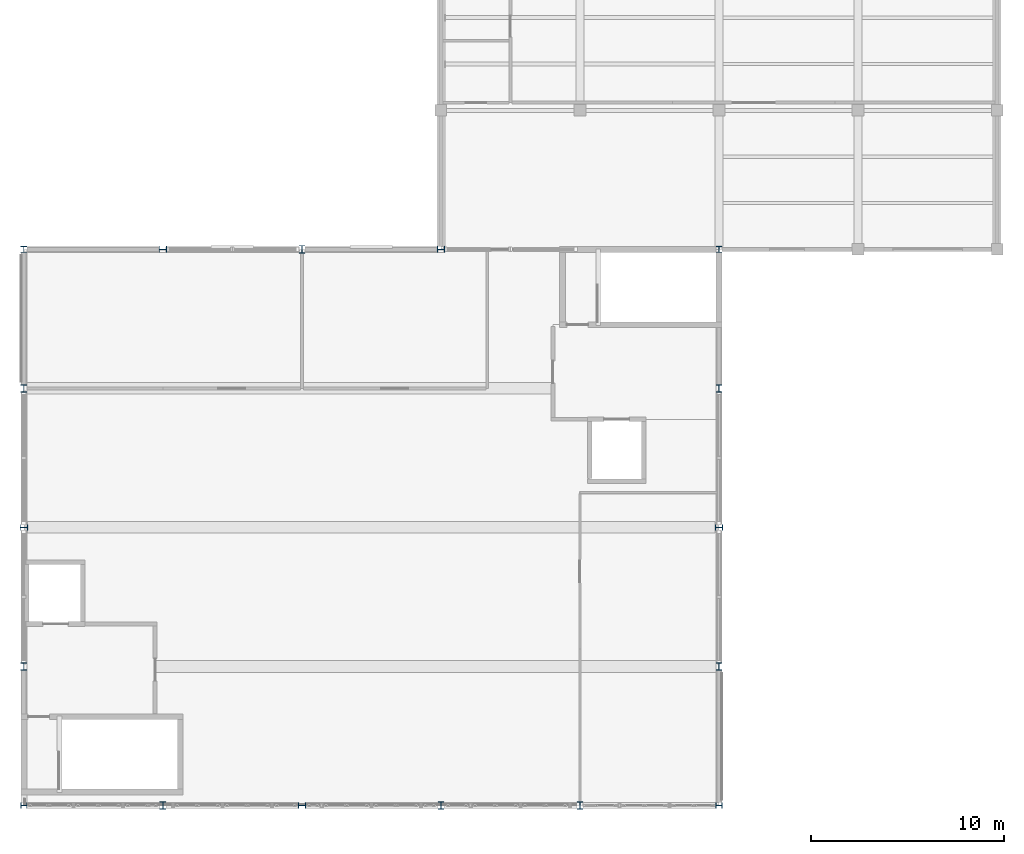
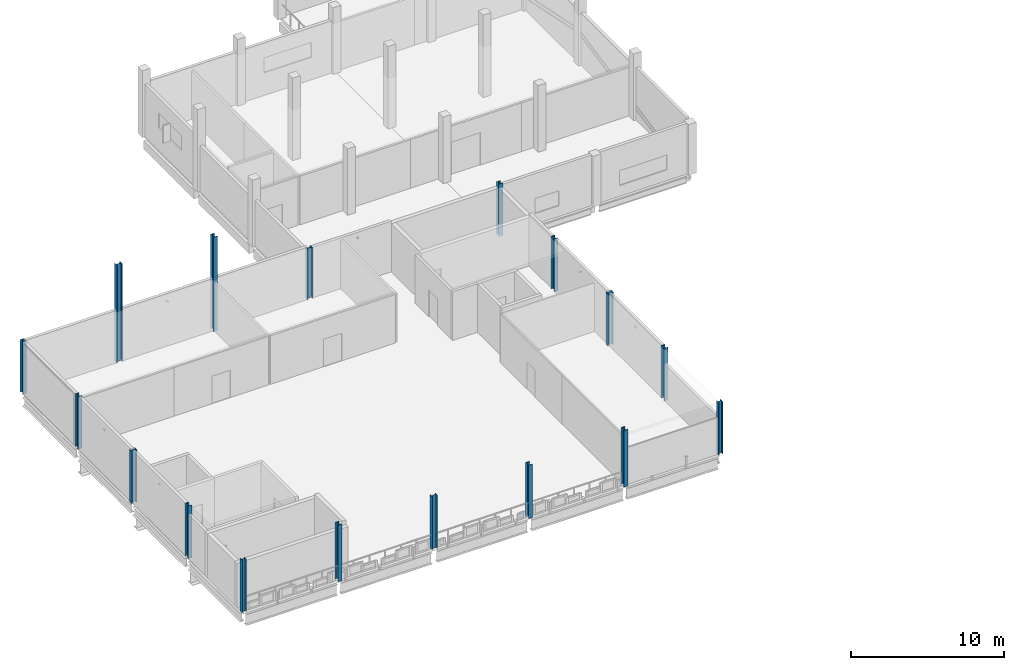
# One storey, part 1 of 20: 17 columns.
"""IFC4 building model written with IfcOpenShell, lengths in metres."""

from ifc_helpers import new_model, si_unit, direction, frame, origin, origin_2d, place, context, subcontext, project, spatial, i_section, extrude, material, material_profile, profile_set, type_object, element, save


model = new_model("IFC4")

# Units and contexts
model_context = context("Model", 3, precision=1e-05, world=origin(), true_north=direction((0.0, 1.0)))
body_context = subcontext(model_context, "Body", "Model", "MODEL_VIEW")
ifc_project = project(units=[si_unit("LENGTHUNIT", "METRE"), si_unit("AREAUNIT", "SQUARE_METRE"), si_unit("VOLUMEUNIT", "CUBIC_METRE"), si_unit("PLANEANGLEUNIT", "RADIAN"), si_unit("MASSUNIT", "GRAM", prefix="KILO"), si_unit("THERMODYNAMICTEMPERATUREUNIT", "KELVIN"), si_unit("POWERUNIT", "WATT")], contexts=[model_context])

# Site, building, storey
site_placement = place(None, origin())
site = spatial("IfcSite", under=ifc_project, at=site_placement, CompositionType="ELEMENT")
building_placement = place(site_placement, origin())
building = spatial("IfcBuilding", under=site, at=building_placement, Name="Kaldorven Railside Theatre", CompositionType="ELEMENT")
storey_placement = place(building_placement, frame((0.0, 0.0, 23.10009765625)))
storey = spatial("IfcBuildingStorey", under=building, at=storey_placement, Name="L05", CompositionType="ELEMENT", Elevation=23.10009765625)

# Columns
ifc_material = material(Name="Steel S355", Category="steel")
ifc_material_profile_1 = material_profile(ifc_material, i_section(OverallWidth=0.300048828125, OverallDepth=0.39990234375, WebThickness=0.013427734375, FlangeThickness=0.02392578125, at=origin_2d()), Name="HEB 400")
ifc_profile_set_1 = profile_set([ifc_material_profile_1], Name="Steel S355")
column_type_1 = type_object("IfcColumnType", Name="COL-HEB400", PredefinedType="COLUMN", material=ifc_profile_set_1)
column_1_placement = place(storey_placement, frame((94.39990234375, 84.0, 0.0), z_axis=(0.0, 0.0, 1.0), x_axis=(1.0, 0.0, 0.0)))
element("IfcColumn", 1, at=column_1_placement, inside=storey, type_object=column_type_1, Name="L05 Column CG-L05-094-084", PredefinedType="COLUMN", context=body_context, shape_type="SweptSolid", body=[
    extrude(i_section(OverallWidth=0.300048828125, OverallDepth=0.39990234375, WebThickness=0.013427734375, FlangeThickness=0.02392578125, at=origin_2d()), origin(), (0.0, 0.0, 1.0), 4.52392578125),
])
for number, where, z_axis, x_axis, name in (
    (2, (101.60009765625, 84.0, 0.0), (0.0, 0.0, 1.0), (0.0, 1.0, 0.0), "L05 Column CG-L05-101-084"),
    (3, (108.800048828125, 84.0, 0.0), (0.0, 0.0, 1.0), (1.0, 0.0, 0.0), "L05 Column CG-L05-108-084"),
):
    element("IfcColumn", number, at=place(storey_placement, frame(where, z_axis=z_axis, x_axis=x_axis)), inside=storey, type_object=column_type_1, Name=name, PredefinedType="COLUMN", context=body_context, shape_type="SweptSolid", body=[
        extrude(i_section(OverallWidth=0.300048828125, OverallDepth=0.39990234375, WebThickness=0.013427734375, FlangeThickness=0.02392578125, at=origin_2d()), origin(), (0.0, 0.0, 1.0), 4.258056640625),
    ])
column_2_placement = place(storey_placement, frame((116.0, 84.0, 0.0), z_axis=(0.0, 0.0, 1.0), x_axis=(1.0, 0.0, 0.0)))
element("IfcColumn", 4, at=column_2_placement, inside=storey, type_object=column_type_1, Name="L05 Column CG-L05-116-084", PredefinedType="COLUMN", context=body_context, shape_type="SweptSolid", body=[
    extrude(i_section(OverallWidth=0.300048828125, OverallDepth=0.39990234375, WebThickness=0.013427734375, FlangeThickness=0.02392578125, at=origin_2d()), origin(), (0.0, 0.0, 1.0), 4.52392578125),
])
for number, where, z_axis, x_axis, name in (
    (5, (87.199951171875, 91.199951171875, 0.0), (0.0, 0.0, 1.0), (1.0, 0.0, 0.0), "L05 Column CG-L05-087-091"),
    (6, (123.199951171875, 91.199951171875, 0.0), (0.0, 0.0, 1.0), (1.0, 0.0, 0.0), "L05 Column CG-L05-123-091"),
    (7, (87.199951171875, 98.39990234375, 0.0), (0.0, 0.0, 1.0), (0.0, 1.0, 0.0), "L05 Column CG-L05-087-098"),
    (8, (123.199951171875, 98.39990234375, 0.0), (0.0, 0.0, 1.0), (0.0, 1.0, 0.0), "L05 Column CG-L05-123-098"),
    (9, (87.199951171875, 105.60009765625, 0.0), (0.0, 0.0, 1.0), (1.0, 0.0, 0.0), "L05 Column CG-L05-087-105"),
    (10, (123.199951171875, 105.60009765625, 0.0), (0.0, 0.0, 1.0), (1.0, 0.0, 0.0), "L05 Column CG-L05-123-105"),
):
    element("IfcColumn", number, at=place(storey_placement, frame(where, z_axis=z_axis, x_axis=x_axis)), inside=storey, type_object=column_type_1, Name=name, PredefinedType="COLUMN", context=body_context, shape_type="SweptSolid", body=[
        extrude(i_section(OverallWidth=0.300048828125, OverallDepth=0.39990234375, WebThickness=0.013427734375, FlangeThickness=0.02392578125, at=origin_2d()), origin(), (0.0, 0.0, 1.0), 4.199951171875),
    ])
column_3_placement = place(storey_placement, frame((94.39990234375, 112.800048828125, 0.0), z_axis=(0.0, 0.0, 1.0), x_axis=(0.0, 1.0, 0.0)))
element("IfcColumn", 11, at=column_3_placement, inside=storey, type_object=column_type_1, Name="L05 Column CG-L05-094-112", PredefinedType="COLUMN", context=body_context, shape_type="SweptSolid", body=[
    extrude(i_section(OverallWidth=0.300048828125, OverallDepth=0.39990234375, WebThickness=0.013427734375, FlangeThickness=0.02392578125, at=origin_2d()), origin(), (0.0, 0.0, 1.0), 7.803955078125),
])
column_4_placement = place(storey_placement, frame((101.60009765625, 112.800048828125, 0.0), z_axis=(0.0, 0.0, 1.0), x_axis=(1.0, 0.0, 0.0)))
element("IfcColumn", 12, at=column_4_placement, inside=storey, type_object=column_type_1, Name="L05 Column CG-L05-101-112", PredefinedType="COLUMN", context=body_context, shape_type="SweptSolid", body=[
    extrude(i_section(OverallWidth=0.300048828125, OverallDepth=0.39990234375, WebThickness=0.013427734375, FlangeThickness=0.02392578125, at=origin_2d()), origin(), (0.0, 0.0, 1.0), 7.5380859375),
])
column_5_placement = place(storey_placement, frame((108.800048828125, 112.800048828125, 0.0), z_axis=(0.0, 0.0, 1.0), x_axis=(0.0, 1.0, 0.0)))
element("IfcColumn", 13, at=column_5_placement, inside=storey, type_object=column_type_1, Name="L05 Column CG-L05-108-112", PredefinedType="COLUMN", context=body_context, shape_type="SweptSolid", body=[
    extrude(i_section(OverallWidth=0.300048828125, OverallDepth=0.39990234375, WebThickness=0.013427734375, FlangeThickness=0.02392578125, at=origin_2d()), origin(), (0.0, 0.0, 1.0), 4.04638671875),
])
ifc_material_profile_2 = material_profile(ifc_material, i_section(OverallWidth=0.30908203125, OverallDepth=0.320556640625, WebThickness=0.013916015625, FlangeThickness=0.021728515625, at=origin_2d()), Name="UC 305x305x137")
ifc_profile_set_2 = profile_set([ifc_material_profile_2], Name="Steel S355")
column_type_2 = type_object("IfcColumnType", Name="COL-UC305", PredefinedType="COLUMN", material=ifc_profile_set_2)
for number, where, z_axis, x_axis, name in (
    (14, (87.199951171875, 84.0, 0.0), (0.0, 0.0, 1.0), (0.0, 1.0, 0.0), "L05 Column CG-L05-087-084"),
    (15, (123.199951171875, 84.0, 0.0), (0.0, 0.0, 1.0), (0.0, 1.0, 0.0), "L05 Column CG-L05-123-084"),
    (16, (87.199951171875, 112.800048828125, 0.0), (0.0, 0.0, 1.0), (1.0, 0.0, 0.0), "L05 Column CG-L05-087-112"),
    (17, (123.199951171875, 112.800048828125, 0.0), (0.0, 0.0, 1.0), (1.0, 0.0, 0.0), "L05 Column CG-L05-123-112"),
):
    element("IfcColumn", number, at=place(storey_placement, frame(where, z_axis=z_axis, x_axis=x_axis)), inside=storey, type_object=column_type_2, Name=name, PredefinedType="COLUMN", context=body_context, shape_type="SweptSolid", body=[
        extrude(i_section(OverallWidth=0.30908203125, OverallDepth=0.320556640625, WebThickness=0.013916015625, FlangeThickness=0.021728515625, at=origin_2d()), origin(), (0.0, 0.0, 1.0), 4.199951171875),
    ])

save(model, "model.ifc")
